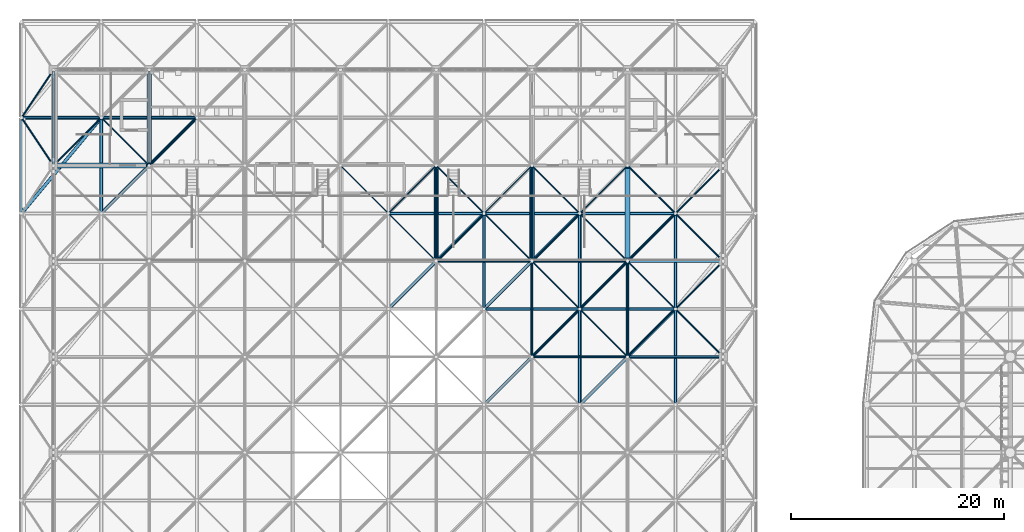
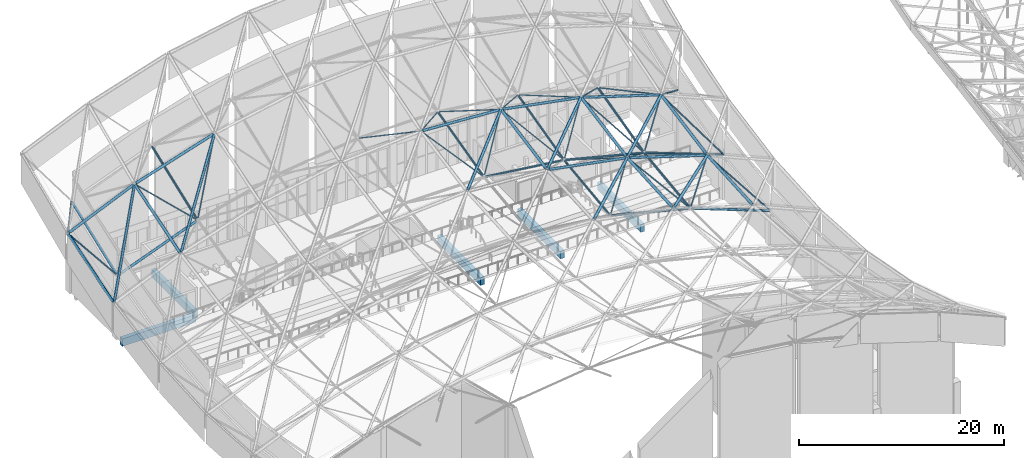
# One storey, part 101 of 437: 62 members, 5 beams.
"""IFC4 building model written with IfcOpenShell, lengths in metres."""

from ifc_helpers import new_model, si_unit, direction, frame, origin, origin_2d, place, context, subcontext, project, spatial, rectangle, hollow_circle, extrude, material, material_profile, profile_set, type_object, element, save


model = new_model("IFC4")

# Units and contexts
model_context = context("Model", 3, precision=1e-05, world=origin(), true_north=direction((0.0, 1.0)))
body_context = subcontext(model_context, "Body", "Model", "MODEL_VIEW")
ifc_project = project(units=[si_unit("LENGTHUNIT", "METRE"), si_unit("AREAUNIT", "SQUARE_METRE"), si_unit("VOLUMEUNIT", "CUBIC_METRE"), si_unit("PLANEANGLEUNIT", "RADIAN"), si_unit("MASSUNIT", "GRAM", prefix="KILO")], contexts=[model_context])

# Site, building, storey
site_placement = place(None, origin())
site = spatial("IfcSite", under=ifc_project, at=site_placement, CompositionType="ELEMENT")
building_placement = place(site_placement, origin())
building = spatial("IfcBuilding", under=site, at=building_placement, Name="Opaline Strait Convention Centre", CompositionType="ELEMENT")
storey_placement = place(building_placement, frame((0.0, 0.0, 11.5)))
storey = spatial("IfcBuildingStorey", under=building, at=storey_placement, Name="L02", CompositionType="ELEMENT", Elevation=11.5)

# Beams
ifc_material_1 = material(Name="Concrete C35", Category="concrete")
ifc_material_profile_1 = material_profile(ifc_material_1, rectangle(XDim=0.449951171875, YDim=0.89990234375, at=origin_2d()), Name="RC 450x900")
ifc_profile_set_1 = profile_set([ifc_material_profile_1], Name="Concrete C35")
beam_type = type_object("IfcBeamType", Name="RC floor beam 450x900 C35", PredefinedType="BEAM", material=ifc_profile_set_1)
for number, where, z_axis, x_axis, name in (
    (1, (9.39990234375, 171.0, -0.72998046875), (1.0, 0.0, 0.0), (0.0, 1.0, 0.0), "PFB1 L02 beam 2/V-3/V"),
    (2, (18.0, 171.300048828125, -0.72998046875), (0.0, 1.0, 0.0), (-1.0, 0.0, 0.0), "PFB1 L02 beam 3/V-3/W"),
):
    element("IfcBeam", number, at=place(storey_placement, frame(where, z_axis=z_axis, x_axis=x_axis)), inside=storey, type_object=beam_type, Name=name, PredefinedType="BEAM", context=body_context, shape_type="SweptSolid", body=[
        extrude(rectangle(XDim=0.449951171875, YDim=0.89990234375, at=origin_2d()), origin(), (0.0, 0.0, 1.0), 8.300048828125),
    ])
for number, where, z_axis, x_axis, name in (
    (3, (45.0, 162.300048828125, -0.72998046875), (0.0, 1.0, 0.0), (-1.0, 0.0, 0.0), "PFB1 L02 beam 6/U-6/V"),
    (4, (54.0, 162.300048828125, -0.72998046875), (0.0, 1.0, 0.0), (-1.0, 0.0, 0.0), "PFB1 L02 beam 7/U-7/V"),
    (5, (63.0, 162.300048828125, -0.72998046875), (0.0, 1.0, 0.0), (-1.0, 0.0, 0.0), "PFB1 L02 beam 8/U-8/V"),
):
    element("IfcBeam", number, at=place(storey_placement, frame(where, z_axis=z_axis, x_axis=x_axis)), inside=storey, type_object=beam_type, Name=name, PredefinedType="BEAM", context=body_context, shape_type="SweptSolid", body=[
        extrude(rectangle(XDim=0.449951171875, YDim=0.89990234375, at=origin_2d()), origin(), (0.0, 0.0, 1.0), 8.39990234375),
    ])

# Members
ifc_material_2 = material(Name="Steel Q355B", Category="steel")
ifc_material_profile_2 = material_profile(ifc_material_2, hollow_circle(Radius=0.109619140625, WallThickness=0.008056640625, at=origin_2d()), Name="CHS 219x8")
ifc_profile_set_2 = profile_set([ifc_material_profile_2], Name="Steel Q355B")
member_type_1 = type_object("IfcMemberType", Name="Shell truss bottom chord CHS 219x8", PredefinedType="CHORD", material=ifc_profile_set_2)
member_1_placement = place(storey_placement, frame((45.14990234375, 162.0, 11.81884765625), z_axis=(0.992034447069, 0.0, -0.125966883853), x_axis=(0.0, 1.0, 0.0)))
element("IfcMember", 6, at=member_1_placement, inside=storey, type_object=member_type_1, Name="PBC3 bottom chord X5-6", PredefinedType="CHORD", context=body_context, shape_type="SweptSolid", body=[
    extrude(hollow_circle(Radius=0.109619140625, WallThickness=0.008056640625, at=origin_2d()), origin(), (0.0, 0.0, 1.0), 8.77001953125),
])
member_2_placement = place(storey_placement, frame((45.0, 162.14990234375, 11.8759765625), z_axis=(0.0, 0.969233447146, 0.246143301624), x_axis=(-1.0, 0.0, 0.0)))
element("IfcMember", 7, at=member_2_placement, inside=storey, type_object=member_type_1, Name="PBC3 bottom chord Y5-6", PredefinedType="CHORD", context=body_context, shape_type="SweptSolid", body=[
    extrude(hollow_circle(Radius=0.109619140625, WallThickness=0.008056640625, at=origin_2d()), origin(), (0.0, 0.0, 1.0), 8.976318359375),
])
member_3_placement = place(storey_placement, frame((54.0, 153.14990234375, 9.5712890625), z_axis=(0.0, 0.992034447069, 0.125966883853), x_axis=(-1.0, 0.0, 0.0)))
element("IfcMember", 8, at=member_3_placement, inside=storey, type_object=member_type_1, Name="PBC3 bottom chord Y6-5", PredefinedType="CHORD", context=body_context, shape_type="SweptSolid", body=[
    extrude(hollow_circle(Radius=0.109619140625, WallThickness=0.008056640625, at=origin_2d()), origin(), (0.0, 0.0, 1.0), 8.77001953125),
])
member_4_placement = place(storey_placement, frame((54.0, 162.14990234375, 10.733154296875), z_axis=(0.0, 0.969233447146, 0.246143301624), x_axis=(-1.0, 0.0, 0.0)))
element("IfcMember", 9, at=member_4_placement, inside=storey, type_object=member_type_1, Name="PBC3 bottom chord Y6-6", PredefinedType="CHORD", context=body_context, shape_type="SweptSolid", body=[
    extrude(hollow_circle(Radius=0.109619140625, WallThickness=0.008056640625, at=origin_2d()), origin(), (0.0, 0.0, 1.0), 8.976318359375),
])
ifc_material_profile_3 = material_profile(ifc_material_2, hollow_circle(Radius=0.12255859375, WallThickness=0.011962890625, at=origin_2d()), Name="CHS 245x12")
ifc_profile_set_3 = profile_set([ifc_material_profile_3], Name="Steel Q355B")
member_type_2 = type_object("IfcMemberType", Name="Shell truss bottom chord CHS 245x12", PredefinedType="CHORD", material=ifc_profile_set_3)
for number, where, z_axis, x_axis, name in (
    (10, (54.14990234375, 153.0, 9.513916015625), (0.969233447146, 0.0, -0.246143301624), (0.0, 1.0, 0.0), "PBC2 bottom chord X6-5"),
    (11, (54.14990234375, 162.0, 10.656982421875), (0.969233447146, 0.0, -0.246143301624), (0.0, 1.0, 0.0), "PBC2 bottom chord X6-6"),
):
    element("IfcMember", number, at=place(storey_placement, frame(where, z_axis=z_axis, x_axis=x_axis)), inside=storey, type_object=member_type_2, Name=name, PredefinedType="CHORD", context=body_context, shape_type="SweptSolid", body=[
        extrude(hollow_circle(Radius=0.12255859375, WallThickness=0.011962890625, at=origin_2d()), origin(), (0.0, 0.0, 1.0), 8.976318359375),
    ])
member_5_placement = place(storey_placement, frame((18.0, 171.14990234375, 10.752197265625), z_axis=(0.0, 0.934493135261, 0.355981151397), x_axis=(-1.0, 0.0, 0.0)))
element("IfcMember", 12, at=member_5_placement, inside=storey, type_object=member_type_2, Name="PBC2 bottom chord Y2-7", PredefinedType="CHORD", context=body_context, shape_type="SweptSolid", body=[
    extrude(hollow_circle(Radius=0.12255859375, WallThickness=0.011962890625, at=origin_2d()), origin(), (0.0, 0.0, 1.0), 9.31005859375),
])
member_6_placement = place(storey_placement, frame((63.0, 153.14990234375, 7.285400390625), z_axis=(0.0, 0.992034447069, 0.125966883853), x_axis=(-1.0, 0.0, 0.0)))
element("IfcMember", 13, at=member_6_placement, inside=storey, type_object=member_type_2, Name="PBC2 bottom chord Y7-5", PredefinedType="CHORD", context=body_context, shape_type="SweptSolid", body=[
    extrude(hollow_circle(Radius=0.12255859375, WallThickness=0.011962890625, at=origin_2d()), origin(), (0.0, 0.0, 1.0), 8.77001953125),
])
member_7_placement = place(storey_placement, frame((63.0, 162.14990234375, 8.447509765625), z_axis=(0.0, 0.969233447146, 0.246143301624), x_axis=(-1.0, 0.0, 0.0)))
element("IfcMember", 14, at=member_7_placement, inside=storey, type_object=member_type_2, Name="PBC2 bottom chord Y7-6", PredefinedType="CHORD", context=body_context, shape_type="SweptSolid", body=[
    extrude(hollow_circle(Radius=0.12255859375, WallThickness=0.011962890625, at=origin_2d()), origin(), (0.0, 0.0, 1.0), 8.976318359375),
])
ifc_material_profile_4 = material_profile(ifc_material_2, hollow_circle(Radius=0.136474609375, WallThickness=0.011962890625, at=origin_2d()), Name="CHS 273x12")
ifc_profile_set_4 = profile_set([ifc_material_profile_4], Name="Steel Q355B")
member_type_3 = type_object("IfcMemberType", Name="Shell truss bottom chord CHS 273x12", PredefinedType="CHORD", material=ifc_profile_set_4)
for number, where, z_axis, x_axis, name in (
    (15, (63.14990234375, 153.0, 7.209228515625), (0.934493135261, 0.0, -0.355981151397), (0.0, 1.0, 0.0), "PBC1 bottom chord X7-5"),
    (16, (63.14990234375, 162.0, 8.35205078125), (0.934493135261, 0.0, -0.355981151397), (0.0, 1.0, 0.0), "PBC1 bottom chord X7-6"),
    (17, (9.14990234375, 171.0, 7.323486328125), (0.934484411572, 0.0, 0.356004051282), (0.0, 1.0, 0.0), "PBC1 bottom chord X1-7"),
    (18, (9.0, 171.14990234375, 7.323486328125), (0.0, 0.934484411572, 0.356004051282), (-1.0, 0.0, 0.0), "PBC1 bottom chord Y1-7"),
):
    element("IfcMember", number, at=place(storey_placement, frame(where, z_axis=z_axis, x_axis=x_axis)), inside=storey, type_object=member_type_3, Name=name, PredefinedType="CHORD", context=body_context, shape_type="SweptSolid", body=[
        extrude(hollow_circle(Radius=0.136474609375, WallThickness=0.011962890625, at=origin_2d()), origin(), (0.0, 0.0, 1.0), 9.31005859375),
    ])
ifc_material_profile_5 = material_profile(ifc_material_2, hollow_circle(Radius=0.1494140625, WallThickness=0.010009765625, at=origin_2d()), Name="CHS 299x10")
ifc_profile_set_5 = profile_set([ifc_material_profile_5], Name="Steel Q355B")
member_type_4 = type_object("IfcMemberType", Name="Shell truss top chord CHS 299x10", PredefinedType="CHORD", material=ifc_profile_set_5)
member_8_placement = place(storey_placement, frame((49.64990234375, 157.5, 13.81640625), z_axis=(0.982337601302, 0.0, -0.187117174701), x_axis=(0.0, 1.0, 0.0)))
element("IfcMember", 19, at=member_8_placement, inside=storey, type_object=member_type_4, Name="PTC2 top chord X6-6", PredefinedType="CHORD", context=body_context, shape_type="SweptSolid", body=[
    extrude(hollow_circle(Radius=0.1494140625, WallThickness=0.010009765625, at=origin_2d()), origin(), (0.0, 0.0, 1.0), 8.856689453125),
])
member_9_placement = place(storey_placement, frame((40.64990234375, 166.5, 16.12109375), z_axis=(0.997991520688, 0.0, -0.063347649001), x_axis=(0.0, 1.0, 0.0)))
element("IfcMember", 20, at=member_9_placement, inside=storey, type_object=member_type_4, Name="PTC2 top chord X5-7", PredefinedType="CHORD", context=body_context, shape_type="SweptSolid", body=[
    extrude(hollow_circle(Radius=0.1494140625, WallThickness=0.010009765625, at=origin_2d()), origin(), (0.0, 0.0, 1.0), 8.7177734375),
])
for number, where, z_axis, x_axis, name in (
    (21, (49.64990234375, 166.5, 15.53076171875), (0.982337601302, 0.0, -0.187117174701), (0.0, 1.0, 0.0), "PTC2 top chord X6-7"),
    (22, (49.5, 157.64990234375, 13.87353515625), (0.0, 0.982337601302, 0.187117174701), (-1.0, 0.0, 0.0), "PTC2 top chord Y6-6"),
):
    element("IfcMember", number, at=place(storey_placement, frame(where, z_axis=z_axis, x_axis=x_axis)), inside=storey, type_object=member_type_4, Name=name, PredefinedType="CHORD", context=body_context, shape_type="SweptSolid", body=[
        extrude(hollow_circle(Radius=0.1494140625, WallThickness=0.010009765625, at=origin_2d()), origin(), (0.0, 0.0, 1.0), 8.856689453125),
    ])
for number, where, z_axis, x_axis, name in (
    (23, (40.606201171875, 157.606201171875, 14.429931640625), (0.704272973434, 0.704272973434, 0.089438010823), (-0.707106781187, 0.707106781187, 0.0), "PTC2 top chord D5-6"),
    (24, (49.606201171875, 148.606201171875, 13.260009765625), (0.704274205766, 0.704274205766, -0.089418600888), (-0.707106781187, 0.707106781187, 0.0), "PTC2 top chord D6-5"),
):
    element("IfcMember", number, at=place(storey_placement, frame(where, z_axis=z_axis, x_axis=x_axis)), inside=storey, type_object=member_type_4, Name=name, PredefinedType="CHORD", context=body_context, shape_type="SweptSolid", body=[
        extrude(hollow_circle(Radius=0.1494140625, WallThickness=0.010009765625, at=origin_2d()), origin(), (0.0, 0.0, 1.0), 12.4775390625),
    ])
member_10_placement = place(storey_placement, frame((49.606201171875, 157.606201171875, 13.844970703125), z_axis=(0.707106781187, 0.707106781187, 0.0), x_axis=(-0.707106781187, 0.707106781187, 0.0)))
element("IfcMember", 25, at=member_10_placement, inside=storey, type_object=member_type_4, Name="PTC2 top chord D6-6", PredefinedType="CHORD", context=body_context, shape_type="SweptSolid", body=[
    extrude(hollow_circle(Radius=0.1494140625, WallThickness=0.010009765625, at=origin_2d()), origin(), (0.0, 0.0, 1.0), 12.427490234375),
])
ifc_material_profile_6 = material_profile(ifc_material_2, hollow_circle(Radius=0.1494140625, WallThickness=0.01611328125, at=origin_2d()), Name="CHS 299x16")
ifc_profile_set_6 = profile_set([ifc_material_profile_6], Name="Steel Q355B")
member_type_5 = type_object("IfcMemberType", Name="Shell truss top chord CHS 299x16", PredefinedType="CHORD", material=ifc_profile_set_6)
member_11_placement = place(storey_placement, frame((58.64990234375, 157.5, 12.0830078125), z_axis=(0.953132102782, 0.0, -0.302554449059), x_axis=(0.0, 1.0, 0.0)))
element("IfcMember", 26, at=member_11_placement, inside=storey, type_object=member_type_5, Name="PTC1 top chord X7-6", PredefinedType="CHORD", context=body_context, shape_type="SweptSolid", body=[
    extrude(hollow_circle(Radius=0.1494140625, WallThickness=0.01611328125, at=origin_2d()), origin(), (0.0, 0.0, 1.0), 9.1279296875),
])
member_12_placement = place(storey_placement, frame((58.64990234375, 166.5, 13.79736328125), z_axis=(0.95312438958, 0.0, -0.302578746754), x_axis=(0.0, 1.0, 0.0)))
element("IfcMember", 27, at=member_12_placement, inside=storey, type_object=member_type_5, Name="PTC1 top chord X7-7", PredefinedType="CHORD", context=body_context, shape_type="SweptSolid", body=[
    extrude(hollow_circle(Radius=0.1494140625, WallThickness=0.01611328125, at=origin_2d()), origin(), (0.0, 0.0, 1.0), 9.128173828125),
])
member_13_placement = place(storey_placement, frame((6.14990234375, 175.5, 10.656005859375), z_axis=(0.917383800951, 0.0, 0.398003720777), x_axis=(0.0, 1.0, 0.0)))
element("IfcMember", 28, at=member_13_placement, inside=storey, type_object=member_type_5, Name="PTC1 top chord X1-8", PredefinedType="CHORD", context=body_context, shape_type="SweptSolid", body=[
    extrude(hollow_circle(Radius=0.1494140625, WallThickness=0.01611328125, at=origin_2d()), origin(), (0.0, 0.0, 1.0), 7.8486328125),
])
for number, where, z_axis, x_axis, name in (
    (29, (13.64990234375, 175.5, 13.892578125), (0.95312438958, 0.0, 0.302578746754), (0.0, 1.0, 0.0), "PTC1 top chord X2-8"),
    (30, (6.0, 166.64990234375, 7.781494140625), (0.0, 0.95312438958, 0.302578746754), (-1.0, 0.0, 0.0), "PTC1 top chord Y1-7"),
    (31, (13.5, 166.64990234375, 11.035400390625), (0.0, 0.95312438958, 0.302578746754), (-1.0, 0.0, 0.0), "PTC1 top chord Y2-7"),
):
    element("IfcMember", number, at=place(storey_placement, frame(where, z_axis=z_axis, x_axis=x_axis)), inside=storey, type_object=member_type_5, Name=name, PredefinedType="CHORD", context=body_context, shape_type="SweptSolid", body=[
        extrude(hollow_circle(Radius=0.1494140625, WallThickness=0.01611328125, at=origin_2d()), origin(), (0.0, 0.0, 1.0), 9.128173828125),
    ])
member_14_placement = place(storey_placement, frame((58.5, 148.64990234375, 11.56884765625), z_axis=(0.0, 0.997991520688, 0.063347649001), x_axis=(-1.0, 0.0, 0.0)))
element("IfcMember", 32, at=member_14_placement, inside=storey, type_object=member_type_5, Name="PTC1 top chord Y7-5", PredefinedType="CHORD", context=body_context, shape_type="SweptSolid", body=[
    extrude(hollow_circle(Radius=0.1494140625, WallThickness=0.01611328125, at=origin_2d()), origin(), (0.0, 0.0, 1.0), 8.7177734375),
])
member_15_placement = place(storey_placement, frame((58.5, 157.64990234375, 12.1591796875), z_axis=(0.0, 0.982337601302, 0.187117174701), x_axis=(-1.0, 0.0, 0.0)))
element("IfcMember", 33, at=member_15_placement, inside=storey, type_object=member_type_5, Name="PTC1 top chord Y7-6", PredefinedType="CHORD", context=body_context, shape_type="SweptSolid", body=[
    extrude(hollow_circle(Radius=0.1494140625, WallThickness=0.01611328125, at=origin_2d()), origin(), (0.0, 0.0, 1.0), 8.856689453125),
])
member_16_placement = place(storey_placement, frame((67.5, 148.64990234375, 8.711669921875), z_axis=(0.0, 0.997991520688, 0.063347649001), x_axis=(-1.0, 0.0, 0.0)))
element("IfcMember", 34, at=member_16_placement, inside=storey, type_object=member_type_5, Name="PTC1 top chord Y8-5", PredefinedType="CHORD", context=body_context, shape_type="SweptSolid", body=[
    extrude(hollow_circle(Radius=0.1494140625, WallThickness=0.01611328125, at=origin_2d()), origin(), (0.0, 0.0, 1.0), 8.7177734375),
])
member_17_placement = place(storey_placement, frame((67.5, 157.64990234375, 9.302001953125), z_axis=(0.0, 0.982337601302, 0.187117174701), x_axis=(-1.0, 0.0, 0.0)))
element("IfcMember", 35, at=member_17_placement, inside=storey, type_object=member_type_5, Name="PTC1 top chord Y8-6", PredefinedType="CHORD", context=body_context, shape_type="SweptSolid", body=[
    extrude(hollow_circle(Radius=0.1494140625, WallThickness=0.01611328125, at=origin_2d()), origin(), (0.0, 0.0, 1.0), 8.856689453125),
])
member_18_placement = place(storey_placement, frame((6.095947265625, 166.615234375, 7.81201171875), z_axis=(0.567606990385, 0.681113218902, 0.462500905408), x_axis=(-0.768214267482, 0.640192814109, 0.0)))
element("IfcMember", 36, at=member_18_placement, inside=storey, type_object=member_type_5, Name="PTC1 top chord D1-7", PredefinedType="CHORD", context=body_context, shape_type="SweptSolid", body=[
    extrude(hollow_circle(Radius=0.1494140625, WallThickness=0.01611328125, at=origin_2d()), origin(), (0.0, 0.0, 1.0), 12.875244140625),
])
member_19_placement = place(storey_placement, frame((13.606201171875, 166.606201171875, 11.05517578125), z_axis=(0.64507433768, 0.64507433768, 0.409582955863), x_axis=(-0.707106781187, 0.707106781187, 0.0)))
element("IfcMember", 37, at=member_19_placement, inside=storey, type_object=member_type_5, Name="PTC1 top chord D2-7", PredefinedType="CHORD", context=body_context, shape_type="SweptSolid", body=[
    extrude(hollow_circle(Radius=0.1494140625, WallThickness=0.01611328125, at=origin_2d()), origin(), (0.0, 0.0, 1.0), 13.62255859375),
])
member_20_placement = place(storey_placement, frame((58.606201171875, 148.606201171875, 11.5322265625), z_axis=(0.695974078103, 0.695974078103, -0.176748876144), x_axis=(-0.707106781187, 0.707106781187, 0.0)))
element("IfcMember", 38, at=member_20_placement, inside=storey, type_object=member_type_5, Name="PTC1 top chord D7-5", PredefinedType="CHORD", context=body_context, shape_type="SweptSolid", body=[
    extrude(hollow_circle(Radius=0.1494140625, WallThickness=0.01611328125, at=origin_2d()), origin(), (0.0, 0.0, 1.0), 12.626220703125),
])
member_21_placement = place(storey_placement, frame((58.606201171875, 157.606201171875, 12.1171875), z_axis=(0.704272973434, 0.704272973434, -0.089438010823), x_axis=(-0.707106781187, 0.707106781187, 0.0)))
element("IfcMember", 39, at=member_21_placement, inside=storey, type_object=member_type_5, Name="PTC1 top chord D7-6", PredefinedType="CHORD", context=body_context, shape_type="SweptSolid", body=[
    extrude(hollow_circle(Radius=0.1494140625, WallThickness=0.01611328125, at=origin_2d()), origin(), (0.0, 0.0, 1.0), 12.4775390625),
])
ifc_material_profile_7 = material_profile(ifc_material_2, hollow_circle(Radius=0.056884765625, WallThickness=0.006103515625, at=origin_2d()), Name="CHS 114x6")
ifc_profile_set_7 = profile_set([ifc_material_profile_7], Name="Steel Q355B")
member_type_6 = type_object("IfcMemberType", Name="Shell truss web CHS 114x6", PredefinedType="BRACE", material=ifc_profile_set_7)
member_22_placement = place(storey_placement, frame((36.106201171875, 170.893798828125, 14.1708984375), z_axis=(0.674355522785, -0.674355522785, 0.300814324422), x_axis=(0.707106781187, 0.707106781187, 0.0)))
element("IfcMember", 40, at=member_22_placement, inside=storey, type_object=member_type_6, Name="PWB3 web 4-7bc", PredefinedType="BRACE", context=body_context, shape_type="SweptSolid", body=[
    extrude(hollow_circle(Radius=0.056884765625, WallThickness=0.006103515625, at=origin_2d()), origin(), (0.0, 0.0, 1.0), 6.358154296875),
])
member_23_placement = place(storey_placement, frame((44.893798828125, 162.106201171875, 11.93896484375), z_axis=(-0.58618937533, 0.58618937533, 0.559253102361), x_axis=(-0.707106781187, -0.707106781187, 0.0)))
element("IfcMember", 41, at=member_23_placement, inside=storey, type_object=member_type_6, Name="PWB3 web 5-6ad", PredefinedType="BRACE", context=body_context, shape_type="SweptSolid", body=[
    extrude(hollow_circle(Radius=0.056884765625, WallThickness=0.006103515625, at=origin_2d()), origin(), (0.0, 0.0, 1.0), 7.314453125),
])
member_24_placement = place(storey_placement, frame((45.106201171875, 162.106201171875, 11.925537109375), z_axis=(0.610386818671, 0.610386818671, 0.504832510033), x_axis=(-0.707106781187, 0.707106781187, 0.0)))
element("IfcMember", 42, at=member_24_placement, inside=storey, type_object=member_type_6, Name="PWB3 web 5-6bd", PredefinedType="BRACE", context=body_context, shape_type="SweptSolid", body=[
    extrude(hollow_circle(Radius=0.056884765625, WallThickness=0.006103515625, at=origin_2d()), origin(), (0.0, 0.0, 1.0), 7.0244140625),
])
member_25_placement = place(storey_placement, frame((44.893798828125, 170.893798828125, 14.1708984375), z_axis=(-0.674355522785, -0.674355522785, 0.300814324422), x_axis=(0.707106781187, -0.707106781187, 0.0)))
element("IfcMember", 43, at=member_25_placement, inside=storey, type_object=member_type_6, Name="PWB3 web 5-7ac", PredefinedType="BRACE", context=body_context, shape_type="SweptSolid", body=[
    extrude(hollow_circle(Radius=0.056884765625, WallThickness=0.006103515625, at=origin_2d()), origin(), (0.0, 0.0, 1.0), 6.358154296875),
])
member_26_placement = place(storey_placement, frame((45.106201171875, 170.893798828125, 14.157470703125), z_axis=(0.689772102252, -0.689772102252, 0.220065658178), x_axis=(0.707106781187, 0.707106781187, 0.0)))
element("IfcMember", 44, at=member_26_placement, inside=storey, type_object=member_type_6, Name="PWB3 web 5-7bc", PredefinedType="BRACE", context=body_context, shape_type="SweptSolid", body=[
    extrude(hollow_circle(Radius=0.056884765625, WallThickness=0.006103515625, at=origin_2d()), origin(), (0.0, 0.0, 1.0), 6.216064453125),
])
member_27_placement = place(storey_placement, frame((54.106201171875, 153.106201171875, 9.61279296875), z_axis=(0.655347879398, 0.655347879398, 0.375550680917), x_axis=(-0.707106781187, 0.707106781187, 0.0)))
element("IfcMember", 45, at=member_27_placement, inside=storey, type_object=member_type_6, Name="PWB3 web 6-5bd", PredefinedType="BRACE", context=body_context, shape_type="SweptSolid", body=[
    extrude(hollow_circle(Radius=0.056884765625, WallThickness=0.006103515625, at=origin_2d()), origin(), (0.0, 0.0, 1.0), 6.54248046875),
])
member_28_placement = place(storey_placement, frame((53.893798828125, 162.106201171875, 10.809814453125), z_axis=(-0.56178917646, 0.56178917646, 0.607277401544), x_axis=(-0.707106781187, -0.707106781187, 0.0)))
element("IfcMember", 46, at=member_28_placement, inside=storey, type_object=member_type_6, Name="PWB3 web 6-6ad", PredefinedType="BRACE", context=body_context, shape_type="SweptSolid", body=[
    extrude(hollow_circle(Radius=0.056884765625, WallThickness=0.006103515625, at=origin_2d()), origin(), (0.0, 0.0, 1.0), 7.632080078125),
])
member_29_placement = place(storey_placement, frame((54.106201171875, 161.893798828125, 10.728759765625), z_axis=(0.689766139831, -0.689766139831, 0.220103031979), x_axis=(0.707106781187, 0.707106781187, 0.0)))
element("IfcMember", 47, at=member_29_placement, inside=storey, type_object=member_type_6, Name="PWB3 web 6-6bc", PredefinedType="BRACE", context=body_context, shape_type="SweptSolid", body=[
    extrude(hollow_circle(Radius=0.056884765625, WallThickness=0.006103515625, at=origin_2d()), origin(), (0.0, 0.0, 1.0), 6.216064453125),
])
member_30_placement = place(storey_placement, frame((54.106201171875, 162.106201171875, 10.769287109375), z_axis=(0.633718163842, 0.633718163842, 0.443624365464), x_axis=(-0.707106781187, 0.707106781187, 0.0)))
element("IfcMember", 48, at=member_30_placement, inside=storey, type_object=member_type_6, Name="PWB3 web 6-6bd", PredefinedType="BRACE", context=body_context, shape_type="SweptSolid", body=[
    extrude(hollow_circle(Radius=0.056884765625, WallThickness=0.006103515625, at=origin_2d()), origin(), (0.0, 0.0, 1.0), 6.765869140625),
])
member_31_placement = place(storey_placement, frame((53.893798828125, 170.893798828125, 13.04150390625), z_axis=(-0.655347879398, -0.655347879398, 0.375550680917), x_axis=(0.707106781187, -0.707106781187, 0.0)))
element("IfcMember", 49, at=member_31_placement, inside=storey, type_object=member_type_6, Name="PWB3 web 6-7ac", PredefinedType="BRACE", context=body_context, shape_type="SweptSolid", body=[
    extrude(hollow_circle(Radius=0.056884765625, WallThickness=0.006103515625, at=origin_2d()), origin(), (0.0, 0.0, 1.0), 6.54248046875),
])
member_32_placement = place(storey_placement, frame((54.106201171875, 170.893798828125, 13.001220703125), z_axis=(0.700674687609, -0.700674687609, 0.134573267356), x_axis=(0.707106781187, 0.707106781187, 0.0)))
element("IfcMember", 50, at=member_32_placement, inside=storey, type_object=member_type_6, Name="PWB3 web 6-7bc", PredefinedType="BRACE", context=body_context, shape_type="SweptSolid", body=[
    extrude(hollow_circle(Radius=0.056884765625, WallThickness=0.006103515625, at=origin_2d()), origin(), (0.0, 0.0, 1.0), 6.119140625),
])
ifc_material_profile_8 = material_profile(ifc_material_2, hollow_circle(Radius=0.070068359375, WallThickness=0.008056640625, at=origin_2d()), Name="CHS 140x8")
ifc_profile_set_8 = profile_set([ifc_material_profile_8], Name="Steel Q355B")
member_type_7 = type_object("IfcMemberType", Name="Shell truss web CHS 140x8", PredefinedType="BRACE", material=ifc_profile_set_8)
member_33_placement = place(storey_placement, frame((17.893798828125, 171.106201171875, 10.769287109375), z_axis=(-0.633718163842, 0.633718163842, 0.443624365464), x_axis=(-0.707106781187, -0.707106781187, 0.0)))
element("IfcMember", 51, at=member_33_placement, inside=storey, type_object=member_type_7, Name="PWB2 web 2-7ad", PredefinedType="BRACE", context=body_context, shape_type="SweptSolid", body=[
    extrude(hollow_circle(Radius=0.070068359375, WallThickness=0.008056640625, at=origin_2d()), origin(), (0.0, 0.0, 1.0), 6.765869140625),
])
member_34_placement = place(storey_placement, frame((18.106201171875, 171.106201171875, 10.836669921875), z_axis=(0.514195979125, 0.514195979125, 0.68644372683), x_axis=(-0.707106781187, 0.707106781187, 0.0)))
element("IfcMember", 52, at=member_34_placement, inside=storey, type_object=member_type_7, Name="PWB2 web 2-7bd", PredefinedType="BRACE", context=body_context, shape_type="SweptSolid", body=[
    extrude(hollow_circle(Radius=0.070068359375, WallThickness=0.008056640625, at=origin_2d()), origin(), (0.0, 0.0, 1.0), 8.33837890625),
])
member_35_placement = place(storey_placement, frame((62.893798828125, 153.106201171875, 7.381103515625), z_axis=(-0.561778263095, 0.561778263095, 0.607297592806), x_axis=(-0.707106781187, -0.707106781187, 0.0)))
element("IfcMember", 53, at=member_35_placement, inside=storey, type_object=member_type_7, Name="PWB2 web 7-5ad", PredefinedType="BRACE", context=body_context, shape_type="SweptSolid", body=[
    extrude(hollow_circle(Radius=0.070068359375, WallThickness=0.008056640625, at=origin_2d()), origin(), (0.0, 0.0, 1.0), 7.632080078125),
])
member_36_placement = place(storey_placement, frame((63.106201171875, 153.106201171875, 7.313720703125), z_axis=(0.674355522785, 0.674355522785, 0.300814324422), x_axis=(-0.707106781187, 0.707106781187, 0.0)))
element("IfcMember", 54, at=member_36_placement, inside=storey, type_object=member_type_7, Name="PWB2 web 7-5bd", PredefinedType="BRACE", context=body_context, shape_type="SweptSolid", body=[
    extrude(hollow_circle(Radius=0.070068359375, WallThickness=0.008056640625, at=origin_2d()), origin(), (0.0, 0.0, 1.0), 6.358154296875),
])
member_37_placement = place(storey_placement, frame((62.893798828125, 161.893798828125, 8.4970703125), z_axis=(-0.61039752844, -0.61039752844, 0.504806611039), x_axis=(0.707106781187, -0.707106781187, 0.0)))
element("IfcMember", 55, at=member_37_placement, inside=storey, type_object=member_type_7, Name="PWB2 web 7-6ac", PredefinedType="BRACE", context=body_context, shape_type="SweptSolid", body=[
    extrude(hollow_circle(Radius=0.070068359375, WallThickness=0.008056640625, at=origin_2d()), origin(), (0.0, 0.0, 1.0), 7.024169921875),
])
member_38_placement = place(storey_placement, frame((62.893798828125, 162.106201171875, 8.537353515625), z_axis=(-0.537659406453, 0.537659406453, 0.649495746949), x_axis=(-0.707106781187, -0.707106781187, 0.0)))
element("IfcMember", 56, at=member_38_placement, inside=storey, type_object=member_type_7, Name="PWB2 web 7-6ad", PredefinedType="BRACE", context=body_context, shape_type="SweptSolid", body=[
    extrude(hollow_circle(Radius=0.070068359375, WallThickness=0.008056640625, at=origin_2d()), origin(), (0.0, 0.0, 1.0), 7.974609375),
])
member_39_placement = place(storey_placement, frame((63.106201171875, 161.893798828125, 8.4296875), z_axis=(0.700674687609, -0.700674687609, 0.134573267356), x_axis=(0.707106781187, 0.707106781187, 0.0)))
element("IfcMember", 57, at=member_39_placement, inside=storey, type_object=member_type_7, Name="PWB2 web 7-6bc", PredefinedType="BRACE", context=body_context, shape_type="SweptSolid", body=[
    extrude(hollow_circle(Radius=0.070068359375, WallThickness=0.008056640625, at=origin_2d()), origin(), (0.0, 0.0, 1.0), 6.119140625),
])
member_40_placement = place(storey_placement, frame((63.106201171875, 162.106201171875, 8.47021484375), z_axis=(0.655357063272, 0.655357063272, 0.375518627019), x_axis=(-0.707106781187, 0.707106781187, 0.0)))
element("IfcMember", 58, at=member_40_placement, inside=storey, type_object=member_type_7, Name="PWB2 web 7-6bd", PredefinedType="BRACE", context=body_context, shape_type="SweptSolid", body=[
    extrude(hollow_circle(Radius=0.070068359375, WallThickness=0.008056640625, at=origin_2d()), origin(), (0.0, 0.0, 1.0), 6.54248046875),
])
member_41_placement = place(storey_placement, frame((62.893798828125, 170.893798828125, 10.769287109375), z_axis=(-0.633718163842, -0.633718163842, 0.443624365464), x_axis=(0.707106781187, -0.707106781187, 0.0)))
element("IfcMember", 59, at=member_41_placement, inside=storey, type_object=member_type_7, Name="PWB2 web 7-7ac", PredefinedType="BRACE", context=body_context, shape_type="SweptSolid", body=[
    extrude(hollow_circle(Radius=0.070068359375, WallThickness=0.008056640625, at=origin_2d()), origin(), (0.0, 0.0, 1.0), 6.765869140625),
])
member_42_placement = place(storey_placement, frame((63.106201171875, 170.893798828125, 10.701904296875), z_axis=(0.706359162176, -0.706359162176, 0.045972470241), x_axis=(0.707106781187, 0.707106781187, 0.0)))
element("IfcMember", 60, at=member_42_placement, inside=storey, type_object=member_type_7, Name="PWB2 web 7-7bc", PredefinedType="BRACE", context=body_context, shape_type="SweptSolid", body=[
    extrude(hollow_circle(Radius=0.070068359375, WallThickness=0.008056640625, at=origin_2d()), origin(), (0.0, 0.0, 1.0), 6.070068359375),
])
ifc_material_profile_9 = material_profile(ifc_material_2, hollow_circle(Radius=0.083984375, WallThickness=0.010009765625, at=origin_2d()), Name="CHS 168x10")
ifc_profile_set_9 = profile_set([ifc_material_profile_9], Name="Steel Q355B")
member_type_8 = type_object("IfcMemberType", Name="Shell truss web CHS 168x10", PredefinedType="BRACE", material=ifc_profile_set_9)
member_43_placement = place(storey_placement, frame((8.916748046875, 171.124755859375, 7.358642578125), z_axis=(-0.472539463346, 0.70884991012, 0.523677630325), x_axis=(-0.832064999387, -0.554678138018, 0.0)))
element("IfcMember", 61, at=member_43_placement, inside=storey, type_object=member_type_8, Name="PWB1 web 1-7ad", PredefinedType="BRACE", context=body_context, shape_type="SweptSolid", body=[
    extrude(hollow_circle(Radius=0.083984375, WallThickness=0.010009765625, at=origin_2d()), origin(), (0.0, 0.0, 1.0), 5.996337890625),
])
member_44_placement = place(storey_placement, frame((9.1025390625, 171.1025390625, 7.41650390625), z_axis=(0.491649700589, 0.491649700589, 0.718721882108), x_axis=(-0.707106781187, 0.707106781187, 0.0)))
element("IfcMember", 62, at=member_44_placement, inside=storey, type_object=member_type_8, Name="PWB1 web 1-7bd", PredefinedType="BRACE", context=body_context, shape_type="SweptSolid", body=[
    extrude(hollow_circle(Radius=0.083984375, WallThickness=0.010009765625, at=origin_2d()), origin(), (0.0, 0.0, 1.0), 8.73583984375),
])
member_45_placement = place(storey_placement, frame((8.916748046875, 179.875244140625, 10.692138671875), z_axis=(-0.5545757946, -0.831911475443, -0.019208984097), x_axis=(0.832064999387, -0.554678138018, 0.0)))
element("IfcMember", 63, at=member_45_placement, inside=storey, type_object=member_type_8, Name="PWB1 web 1-8ac", PredefinedType="BRACE", context=body_context, shape_type="SweptSolid", body=[
    extrude(hollow_circle(Radius=0.083984375, WallThickness=0.010009765625, at=origin_2d()), origin(), (0.0, 0.0, 1.0), 5.109375),
])
member_46_placement = place(storey_placement, frame((71.893798828125, 153.106201171875, 3.966064453125), z_axis=(-0.537659406453, 0.537659406453, 0.649495746949), x_axis=(-0.707106781187, -0.707106781187, 0.0)))
element("IfcMember", 64, at=member_46_placement, inside=storey, type_object=member_type_8, Name="PWB1 web 8-5ad", PredefinedType="BRACE", context=body_context, shape_type="SweptSolid", body=[
    extrude(hollow_circle(Radius=0.083984375, WallThickness=0.010009765625, at=origin_2d()), origin(), (0.0, 0.0, 1.0), 7.974609375),
])
member_47_placement = place(storey_placement, frame((71.893798828125, 161.893798828125, 5.081787109375), z_axis=(-0.58618937533, -0.58618937533, 0.559253102361), x_axis=(0.707106781187, -0.707106781187, 0.0)))
element("IfcMember", 65, at=member_47_placement, inside=storey, type_object=member_type_8, Name="PWB1 web 8-6ac", PredefinedType="BRACE", context=body_context, shape_type="SweptSolid", body=[
    extrude(hollow_circle(Radius=0.083984375, WallThickness=0.010009765625, at=origin_2d()), origin(), (0.0, 0.0, 1.0), 7.314453125),
])
member_48_placement = place(storey_placement, frame((71.893798828125, 162.106201171875, 5.122314453125), z_axis=(-0.514195979125, 0.514195979125, 0.68644372683), x_axis=(-0.707106781187, -0.707106781187, 0.0)))
element("IfcMember", 66, at=member_48_placement, inside=storey, type_object=member_type_8, Name="PWB1 web 8-6ad", PredefinedType="BRACE", context=body_context, shape_type="SweptSolid", body=[
    extrude(hollow_circle(Radius=0.083984375, WallThickness=0.010009765625, at=origin_2d()), origin(), (0.0, 0.0, 1.0), 8.33837890625),
])
member_49_placement = place(storey_placement, frame((71.893798828125, 170.893798828125, 7.35400390625), z_axis=(-0.610386818671, -0.610386818671, 0.504832510033), x_axis=(0.707106781187, -0.707106781187, 0.0)))
element("IfcMember", 67, at=member_49_placement, inside=storey, type_object=member_type_8, Name="PWB1 web 8-7ac", PredefinedType="BRACE", context=body_context, shape_type="SweptSolid", body=[
    extrude(hollow_circle(Radius=0.083984375, WallThickness=0.010009765625, at=origin_2d()), origin(), (0.0, 0.0, 1.0), 7.0244140625),
])

save(model, "model.ifc")
